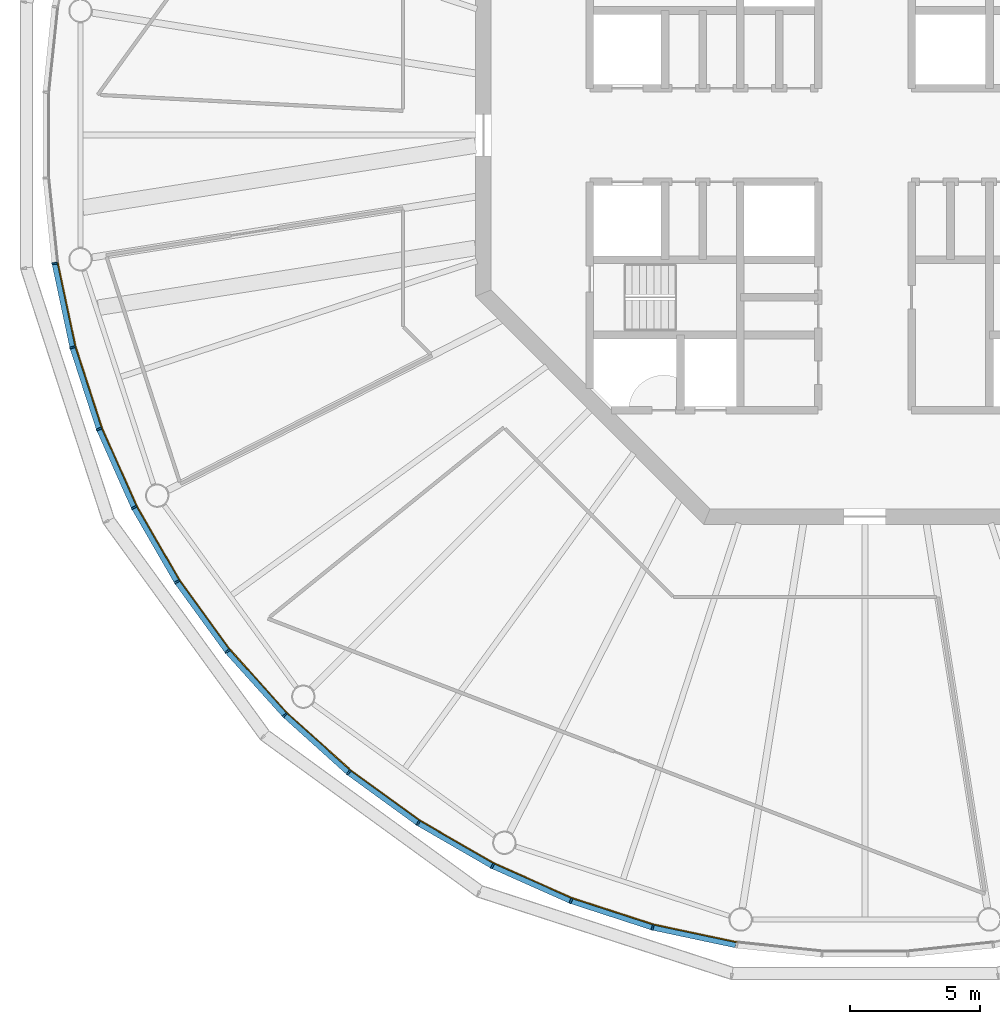
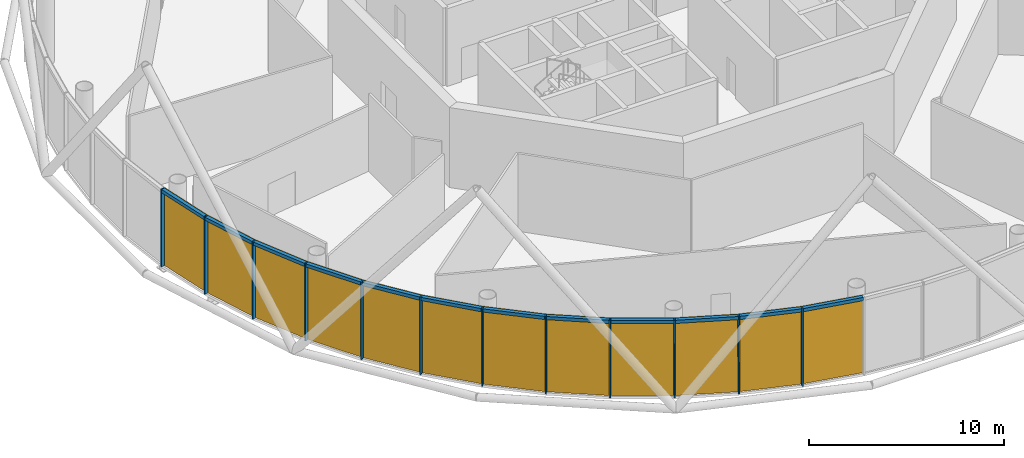
# One storey, part 7 of 13: 24 members, 4 curtain walls.
"""IFC4 building model written with IfcOpenShell, lengths in metres."""

from ifc_helpers import new_model, si_unit, direction, frame, origin, origin_2d, place, context, subcontext, project, spatial, polyline, rectangle, outline, extrude, material, layer, layer_set, material_profile, profile_set, type_object, element, aggregate, save


model = new_model("IFC4")

# Units and contexts
model_context = context("Model", 3, precision=1e-05, world=origin(), true_north=direction((0.0, 1.0)))
body_context = subcontext(model_context, "Body", "Model", "MODEL_VIEW")
ifc_project = project(units=[si_unit("LENGTHUNIT", "METRE"), si_unit("AREAUNIT", "SQUARE_METRE"), si_unit("VOLUMEUNIT", "CUBIC_METRE"), si_unit("PLANEANGLEUNIT", "RADIAN"), si_unit("MASSUNIT", "GRAM", prefix="KILO")], contexts=[model_context])

# Member
ifc_material_1 = material(Name="Anodised aluminium", Category="aluminium")
ifc_material_profile_1 = material_profile(ifc_material_1, rectangle(XDim=0.070068359375, YDim=0.2099609375, at=origin_2d()), Name="Mullion 70 x 210 mm anodised aluminium")
ifc_profile_set_1 = profile_set([ifc_material_profile_1], Name="Anodised aluminium")
member_type_1 = type_object("IfcMemberType", Name="Mullion 70 x 210 mm anodised aluminium", PredefinedType="MULLION", material=ifc_profile_set_1)
site_placement = place(None, origin())
building_placement = place(site_placement, origin())
storey_placement = place(building_placement, frame((0.0, 0.0, 402.0)))
member_1_placement = place(storey_placement, frame((58.7841796875, 75.055908203125, 0.0), z_axis=(0.0, 0.0, 1.0), x_axis=(0.15643446504, -0.987688340595, 0.0)))
member_1 = element("IfcMember", 1, at=member_1_placement, type_object=member_type_1, Name="MULLION L92-30", PredefinedType="MULLION", context=body_context, shape_type="SweptSolid", body=[
    extrude(rectangle(XDim=0.070068359375, YDim=0.2099609375, at=origin_2d()), origin(), (0.0, 0.0, 1.0), 4.85009765625),
])

member_2_placement = place(storey_placement, frame((59.471923828125, 71.820068359375, 0.0), z_axis=(0.0, 0.0, 1.0), x_axis=(0.258819045103, -0.965925826289, 0.0)))
member_2 = element("IfcMember", 2, at=member_2_placement, type_object=member_type_1, Name="MULLION L92-31", PredefinedType="MULLION", context=body_context, shape_type="SweptSolid", body=[
    extrude(rectangle(XDim=0.070068359375, YDim=0.2099609375, at=origin_2d()), origin(), (0.0, 0.0, 1.0), 4.85009765625),
])

member_3_placement = place(storey_placement, frame((60.494140625, 68.673828125, 0.0), z_axis=(0.0, 0.0, 1.0), x_axis=(0.358367949545, -0.933580426497, 0.0)))
member_3 = element("IfcMember", 3, at=member_3_placement, type_object=member_type_1, Name="MULLION L92-32", PredefinedType="MULLION", context=body_context, shape_type="SweptSolid", body=[
    extrude(rectangle(XDim=0.070068359375, YDim=0.2099609375, at=origin_2d()), origin(), (0.0, 0.0, 1.0), 4.85009765625),
])

member_4_placement = place(storey_placement, frame((61.83984375, 65.651611328125, 0.0), z_axis=(0.0, 0.0, 1.0), x_axis=(0.45399049974, -0.891006524188, 0.0)))
member_4 = element("IfcMember", 4, at=member_4_placement, type_object=member_type_1, Name="MULLION L92-33", PredefinedType="MULLION", context=body_context, shape_type="SweptSolid", body=[
    extrude(rectangle(XDim=0.070068359375, YDim=0.2099609375, at=origin_2d()), origin(), (0.0, 0.0, 1.0), 4.85009765625),
])

member_5_placement = place(storey_placement, frame((63.493896484375, 62.78662109375, 0.0), z_axis=(0.0, 0.0, 1.0), x_axis=(0.544639035015, -0.838670567945, 0.0)))
member_5 = element("IfcMember", 5, at=member_5_placement, type_object=member_type_1, Name="MULLION L92-34", PredefinedType="MULLION", context=body_context, shape_type="SweptSolid", body=[
    extrude(rectangle(XDim=0.070068359375, YDim=0.2099609375, at=origin_2d()), origin(), (0.0, 0.0, 1.0), 4.85009765625),
])

member_6_placement = place(storey_placement, frame((65.438232421875, 60.1103515625, 0.0), z_axis=(0.0, 0.0, 1.0), x_axis=(0.62932039105, -0.777145961457, 0.0)))
member_6 = element("IfcMember", 6, at=member_6_placement, type_object=member_type_1, Name="MULLION L92-35", PredefinedType="MULLION", context=body_context, shape_type="SweptSolid", body=[
    extrude(rectangle(XDim=0.070068359375, YDim=0.2099609375, at=origin_2d()), origin(), (0.0, 0.0, 1.0), 4.85009765625),
])

member_7_placement = place(storey_placement, frame((67.65185546875, 57.65185546875, 0.0), z_axis=(0.0, 0.0, 1.0), x_axis=(0.707106781187, -0.707106781187, 0.0)))
member_7 = element("IfcMember", 7, at=member_7_placement, type_object=member_type_1, Name="MULLION L92-36", PredefinedType="MULLION", context=body_context, shape_type="SweptSolid", body=[
    extrude(rectangle(XDim=0.070068359375, YDim=0.2099609375, at=origin_2d()), origin(), (0.0, 0.0, 1.0), 4.85009765625),
])

member_8_placement = place(storey_placement, frame((70.1103515625, 55.438232421875, 0.0), z_axis=(0.0, 0.0, 1.0), x_axis=(0.777145961457, -0.62932039105, 0.0)))
member_8 = element("IfcMember", 8, at=member_8_placement, type_object=member_type_1, Name="MULLION L92-37", PredefinedType="MULLION", context=body_context, shape_type="SweptSolid", body=[
    extrude(rectangle(XDim=0.070068359375, YDim=0.2099609375, at=origin_2d()), origin(), (0.0, 0.0, 1.0), 4.85009765625),
])

member_9_placement = place(storey_placement, frame((72.78662109375, 53.493896484375, 0.0), z_axis=(0.0, 0.0, 1.0), x_axis=(0.838670567945, -0.544639035015, 0.0)))
member_9 = element("IfcMember", 9, at=member_9_placement, type_object=member_type_1, Name="MULLION L92-38", PredefinedType="MULLION", context=body_context, shape_type="SweptSolid", body=[
    extrude(rectangle(XDim=0.070068359375, YDim=0.2099609375, at=origin_2d()), origin(), (0.0, 0.0, 1.0), 4.85009765625),
])

member_10_placement = place(storey_placement, frame((75.651611328125, 51.83984375, 0.0), z_axis=(0.0, 0.0, 1.0), x_axis=(0.891006524188, -0.45399049974, 0.0)))
member_10 = element("IfcMember", 10, at=member_10_placement, type_object=member_type_1, Name="MULLION L92-39", PredefinedType="MULLION", context=body_context, shape_type="SweptSolid", body=[
    extrude(rectangle(XDim=0.070068359375, YDim=0.2099609375, at=origin_2d()), origin(), (0.0, 0.0, 1.0), 4.85009765625),
])

member_11_placement = place(storey_placement, frame((78.673828125, 50.494140625, 0.0), z_axis=(0.0, 0.0, 1.0), x_axis=(0.933580426497, -0.358367949545, 0.0)))
member_11 = element("IfcMember", 11, at=member_11_placement, type_object=member_type_1, Name="MULLION L92-40", PredefinedType="MULLION", context=body_context, shape_type="SweptSolid", body=[
    extrude(rectangle(XDim=0.070068359375, YDim=0.2099609375, at=origin_2d()), origin(), (0.0, 0.0, 1.0), 4.85009765625),
])

member_12_placement = place(storey_placement, frame((81.820068359375, 49.471923828125, 0.0), z_axis=(0.0, 0.0, 1.0), x_axis=(0.965925826289, -0.258819045103, 0.0)))
member_12 = element("IfcMember", 12, at=member_12_placement, type_object=member_type_1, Name="MULLION L92-41", PredefinedType="MULLION", context=body_context, shape_type="SweptSolid", body=[
    extrude(rectangle(XDim=0.070068359375, YDim=0.2099609375, at=origin_2d()), origin(), (0.0, 0.0, 1.0), 4.85009765625),
])

ifc_material_2 = material(Name="Anodised aluminium", Category="aluminium")
ifc_material_profile_2 = material_profile(ifc_material_2, rectangle(XDim=0.2099609375, YDim=0.199951171875, at=origin_2d()), Name="Transom 200 x 210 mm anodised aluminium")
ifc_profile_set_2 = profile_set([ifc_material_profile_2], Name="Anodised aluminium")
member_type_2 = type_object("IfcMemberType", Name="Transom 200 x 210 mm anodised aluminium", PredefinedType="USERDEFINED", material=ifc_profile_set_2)
member_13_placement = place(storey_placement, frame((58.79248046875, 75.016357421875, 4.75), z_axis=(0.207885898771, -0.978153082647, 0.0), x_axis=(0.978153082647, 0.207885898771, 0.0)))
member_13 = element("IfcMember", 13, at=member_13_placement, type_object=member_type_2, Name="TRANSOM L92-30", ObjectType="TRANSOM", PredefinedType="USERDEFINED", context=body_context, shape_type="SweptSolid", body=[
    extrude(rectangle(XDim=0.2099609375, YDim=0.199951171875, at=origin_2d()), origin(), (0.0, 0.0, 1.0), 3.227294921875),
])

member_14_placement = place(storey_placement, frame((59.484375, 71.781494140625, 4.75), z_axis=(0.308956065441, -0.951076311148, 0.0), x_axis=(0.951076311148, 0.308956065441, 0.0)))
member_14 = element("IfcMember", 14, at=member_14_placement, type_object=member_type_2, Name="TRANSOM L92-31", ObjectType="TRANSOM", PredefinedType="USERDEFINED", context=body_context, shape_type="SweptSolid", body=[
    extrude(rectangle(XDim=0.2099609375, YDim=0.199951171875, at=origin_2d()), origin(), (0.0, 0.0, 1.0), 3.227294921875),
])

member_15_placement = place(storey_placement, frame((60.510498046875, 68.63671875, 4.75), z_axis=(0.40676305784, -0.913533696574, 0.0), x_axis=(0.913533696574, 0.40676305784, 0.0)))
member_15 = element("IfcMember", 15, at=member_15_placement, type_object=member_type_2, Name="TRANSOM L92-32", ObjectType="TRANSOM", PredefinedType="USERDEFINED", context=body_context, shape_type="SweptSolid", body=[
    extrude(rectangle(XDim=0.2099609375, YDim=0.199951171875, at=origin_2d()), origin(), (0.0, 0.0, 1.0), 3.227294921875),
])

member_16_placement = place(storey_placement, frame((61.85986328125, 65.616455078125, 4.75), z_axis=(0.500004055213, -0.866023062494, 0.0), x_axis=(0.866023062494, 0.500004055213, 0.0)))
member_16 = element("IfcMember", 16, at=member_16_placement, type_object=member_type_2, Name="TRANSOM L92-33", ObjectType="TRANSOM", PredefinedType="USERDEFINED", context=body_context, shape_type="SweptSolid", body=[
    extrude(rectangle(XDim=0.2099609375, YDim=0.199951171875, at=origin_2d()), origin(), (0.0, 0.0, 1.0), 3.22705078125),
])

member_17_placement = place(storey_placement, frame((63.517578125, 62.75390625, 4.75), z_axis=(0.587753274698, -0.809040226492, 0.0), x_axis=(0.809040226492, 0.587753274698, 0.0)))
member_17 = element("IfcMember", 17, at=member_17_placement, type_object=member_type_2, Name="TRANSOM L92-34", ObjectType="TRANSOM", PredefinedType="USERDEFINED", context=body_context, shape_type="SweptSolid", body=[
    extrude(rectangle(XDim=0.2099609375, YDim=0.199951171875, at=origin_2d()), origin(), (0.0, 0.0, 1.0), 3.22705078125),
])

member_18_placement = place(storey_placement, frame((65.46533203125, 60.080078125, 4.75), z_axis=(0.669144438484, -0.743132370743, 0.0), x_axis=(0.743132370743, 0.669144438484, 0.0)))
member_18 = element("IfcMember", 18, at=member_18_placement, type_object=member_type_2, Name="TRANSOM L92-35", ObjectType="TRANSOM", PredefinedType="USERDEFINED", context=body_context, shape_type="SweptSolid", body=[
    extrude(rectangle(XDim=0.2099609375, YDim=0.199951171875, at=origin_2d()), origin(), (0.0, 0.0, 1.0), 3.22705078125),
])

member_19_placement = place(storey_placement, frame((67.681884765625, 57.624755859375, 4.75), z_axis=(0.743132370743, -0.669144438484, 0.0), x_axis=(0.669144438484, 0.743132370743, 0.0)))
member_19 = element("IfcMember", 19, at=member_19_placement, type_object=member_type_2, Name="TRANSOM L92-36", ObjectType="TRANSOM", PredefinedType="USERDEFINED", context=body_context, shape_type="SweptSolid", body=[
    extrude(rectangle(XDim=0.2099609375, YDim=0.199951171875, at=origin_2d()), origin(), (0.0, 0.0, 1.0), 3.22705078125),
])

member_20_placement = place(storey_placement, frame((70.14306640625, 55.414306640625, 4.75), z_axis=(0.809040226492, -0.587753274698, 0.0), x_axis=(0.587753274698, 0.809040226492, 0.0)))
member_20 = element("IfcMember", 20, at=member_20_placement, type_object=member_type_2, Name="TRANSOM L92-37", ObjectType="TRANSOM", PredefinedType="USERDEFINED", context=body_context, shape_type="SweptSolid", body=[
    extrude(rectangle(XDim=0.2099609375, YDim=0.199951171875, at=origin_2d()), origin(), (0.0, 0.0, 1.0), 3.22705078125),
])

member_21_placement = place(storey_placement, frame((72.82177734375, 53.473388671875, 4.75), z_axis=(0.866023062494, -0.500004055213, 0.0), x_axis=(0.500004055213, 0.866023062494, 0.0)))
member_21 = element("IfcMember", 21, at=member_21_placement, type_object=member_type_2, Name="TRANSOM L92-38", ObjectType="TRANSOM", PredefinedType="USERDEFINED", context=body_context, shape_type="SweptSolid", body=[
    extrude(rectangle(XDim=0.2099609375, YDim=0.199951171875, at=origin_2d()), origin(), (0.0, 0.0, 1.0), 3.22705078125),
])

member_22_placement = place(storey_placement, frame((75.6884765625, 51.8232421875, 4.75), z_axis=(0.913533696574, -0.40676305784, 0.0), x_axis=(0.40676305784, 0.913533696574, 0.0)))
member_22 = element("IfcMember", 22, at=member_22_placement, type_object=member_type_2, Name="TRANSOM L92-39", ObjectType="TRANSOM", PredefinedType="USERDEFINED", context=body_context, shape_type="SweptSolid", body=[
    extrude(rectangle(XDim=0.2099609375, YDim=0.199951171875, at=origin_2d()), origin(), (0.0, 0.0, 1.0), 3.227294921875),
])

member_23_placement = place(storey_placement, frame((78.712158203125, 50.4814453125, 4.75), z_axis=(0.951076311148, -0.308956065441, 0.0), x_axis=(0.308956065441, 0.951076311148, 0.0)))
member_23 = element("IfcMember", 23, at=member_23_placement, type_object=member_type_2, Name="TRANSOM L92-40", ObjectType="TRANSOM", PredefinedType="USERDEFINED", context=body_context, shape_type="SweptSolid", body=[
    extrude(rectangle(XDim=0.2099609375, YDim=0.199951171875, at=origin_2d()), origin(), (0.0, 0.0, 1.0), 3.227294921875),
])

member_24_placement = place(storey_placement, frame((81.859619140625, 49.46337890625, 4.75), z_axis=(0.978153082647, -0.207885898771, 0.0), x_axis=(0.207885898771, 0.978153082647, 0.0)))
member_24 = element("IfcMember", 24, at=member_24_placement, type_object=member_type_2, Name="TRANSOM L92-41", ObjectType="TRANSOM", PredefinedType="USERDEFINED", context=body_context, shape_type="SweptSolid", body=[
    extrude(rectangle(XDim=0.2099609375, YDim=0.199951171875, at=origin_2d()), origin(), (0.0, 0.0, 1.0), 3.227294921875),
])

# Site, building, storey
site = spatial("IfcSite", under=ifc_project, at=site_placement, CompositionType="ELEMENT")
building = spatial("IfcBuilding", under=site, at=building_placement, Name="Entoto Ring Tower", CompositionType="ELEMENT")
storey = spatial("IfcBuildingStorey", under=building, at=storey_placement, Name="L92", CompositionType="ELEMENT", Elevation=402.0)

# Curtain wall
ifc_material_3 = material(Name="Clear low-iron glass", Category="glass")
ifc_layer = layer(ifc_material_3, 0.0380859375)
ifc_layer_set = layer_set([ifc_layer], Name="Clear low-iron glass")
curtain_wall_type = type_object("IfcCurtainWallType", Name="Curtain wall system CW10 glazing 38 mm", PredefinedType="NOTDEFINED", material=ifc_layer_set)
curtain_wall_1_placement = place(storey_placement, origin())
curtain_wall_1 = element("IfcCurtainWall", 25, at=curtain_wall_1_placement, inside=storey, type_object=curtain_wall_type, Name="CW10 L92-11", PredefinedType="NOTDEFINED", context=body_context, shape_type="SweptSolid", body=[
    extrude(outline(polyline([(58.8876953125, 75.072265625), (59.5732421875, 71.84716796875), (60.59228515625, 68.71142578125), (61.933349609375, 65.69921875), (61.96728515625, 65.716552734375), (60.627685546875, 68.72509765625), (59.610107421875, 71.85693359375), (58.92529296875, 75.078369140625), (58.8876953125, 75.072265625)])), origin(), (0.0, 0.0, 1.0), 4.85009765625),
])

aggregate(curtain_wall_1, [member_1, member_2, member_3, member_13, member_14, member_15])

curtain_wall_2_placement = place(storey_placement, origin())
curtain_wall_2 = element("IfcCurtainWall", 26, at=curtain_wall_2_placement, inside=storey, type_object=curtain_wall_type, Name="CW10 L92-12", PredefinedType="NOTDEFINED", context=body_context, shape_type="SweptSolid", body=[
    extrude(outline(polyline([(61.933349609375, 65.69921875), (63.581787109375, 62.84375), (65.52001953125, 60.176513671875), (67.72607421875, 57.72607421875), (67.7529296875, 57.7529296875), (65.549560546875, 60.200439453125), (63.61376953125, 62.864501953125), (61.96728515625, 65.716552734375), (61.933349609375, 65.69921875)])), origin(), (0.0, 0.0, 1.0), 4.85009765625),
])

aggregate(curtain_wall_2, [member_4, member_5, member_6, member_16, member_17, member_18])

curtain_wall_3_placement = place(storey_placement, origin())
curtain_wall_3 = element("IfcCurtainWall", 27, at=curtain_wall_3_placement, inside=storey, type_object=curtain_wall_type, Name="CW10 L92-13", PredefinedType="NOTDEFINED", context=body_context, shape_type="SweptSolid", body=[
    extrude(outline(polyline([(67.72607421875, 57.72607421875), (70.176513671875, 55.52001953125), (72.84375, 53.581787109375), (75.69921875, 51.933349609375), (75.716552734375, 51.96728515625), (72.864501953125, 53.61376953125), (70.200439453125, 55.549560546875), (67.7529296875, 57.7529296875), (67.72607421875, 57.72607421875)])), origin(), (0.0, 0.0, 1.0), 4.85009765625),
])

aggregate(curtain_wall_3, [member_7, member_8, member_9, member_19, member_20, member_21])

curtain_wall_4_placement = place(storey_placement, origin())
curtain_wall_4 = element("IfcCurtainWall", 28, at=curtain_wall_4_placement, inside=storey, type_object=curtain_wall_type, Name="CW10 L92-14", PredefinedType="NOTDEFINED", context=body_context, shape_type="SweptSolid", body=[
    extrude(outline(polyline([(75.69921875, 51.933349609375), (78.71142578125, 50.59228515625), (81.84716796875, 49.5732421875), (85.072265625, 48.8876953125), (85.078369140625, 48.92529296875), (81.85693359375, 49.610107421875), (78.72509765625, 50.627685546875), (75.716552734375, 51.96728515625), (75.69921875, 51.933349609375)])), origin(), (0.0, 0.0, 1.0), 4.85009765625),
])

aggregate(curtain_wall_4, [member_10, member_11, member_12, member_22, member_23, member_24])

save(model, "model.ifc")
